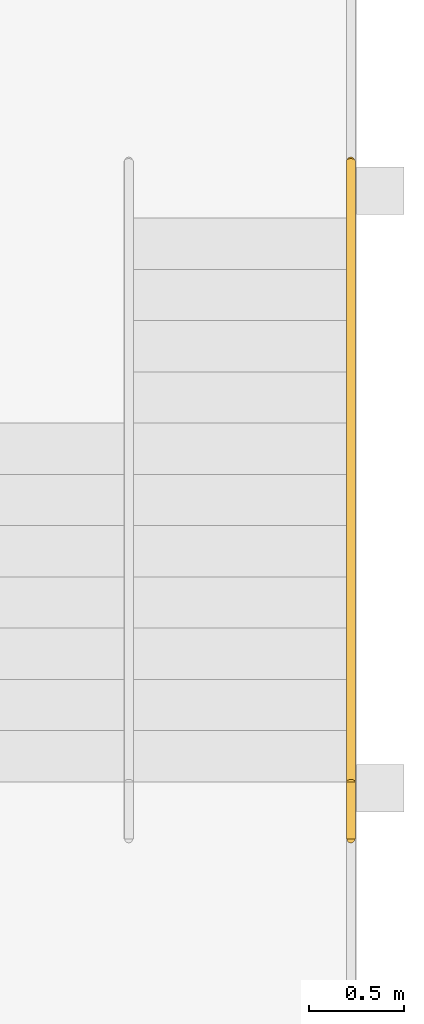
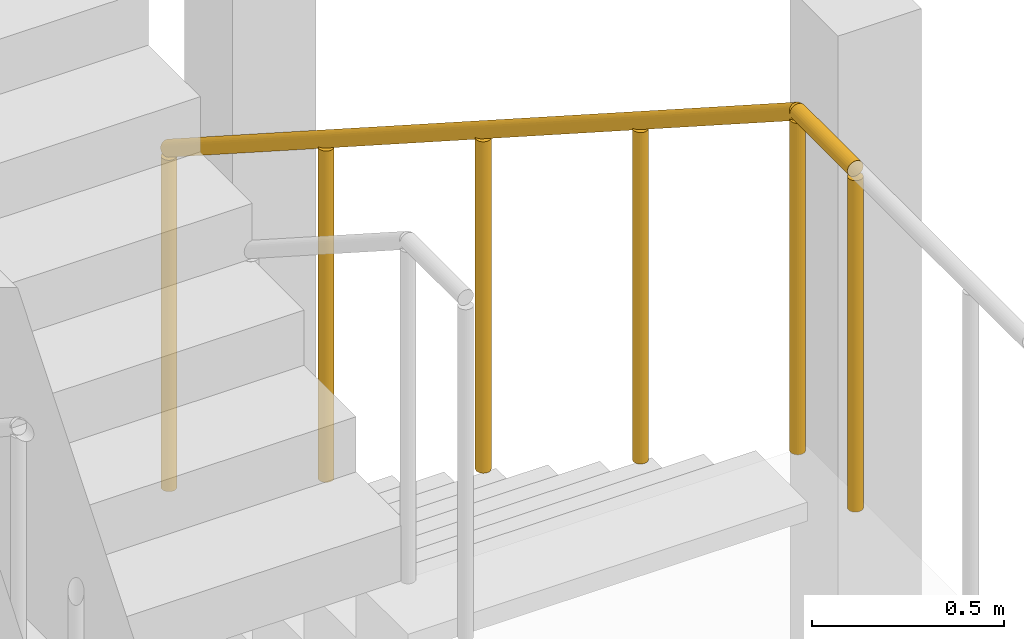
# One storey, part 92 of 92: 1 railing.
"""IFC4 building model written with IfcOpenShell, lengths in metres."""

import ifcopenshell
import ifcopenshell.guid

model = None  # the IFC model being written
_history = None  # IfcOwnerHistory: only IFC2X3 demands one
_inside = {}  # id of a spatial element -> (the spatial element, [elements in it])
_under = {}  # id of a project, library or spatial element -> (it, [spatial elements below it])
_declared = {}  # id of a project -> (the project, [libraries it declares])
_typed = {}  # id of a type object -> (the type object, [elements of that type])
_made_of = {}  # id of a material, layer set ... -> (it, [elements and type objects made of it])


def new_model(schema):
    """Start an empty IFC model of exactly this schema.

    Asked for "IFC4X3", IfcOpenShell would pick the latest addendum, in which some entities
    have other attributes; the version numbers below select the first issue.
    IFC2X3 requires an IfcOwnerHistory on every rooted entity: one is made here for all.
    """
    global model, _history
    if schema == "IFC4X3":
        model = ifcopenshell.file(schema_version=(4, 3, 0, 0))
    else:
        model = ifcopenshell.file(schema=schema)
    _inside.clear()
    _under.clear()
    _declared.clear()
    _typed.clear()
    _made_of.clear()
    _history = None
    if model.schema == "IFC2X3":
        org = make("IfcOrganization", Name="unknown")
        user = make(
            "IfcPersonAndOrganization",
            ThePerson=make("IfcPerson", FamilyName="unknown"),
            TheOrganization=org,
        )
        app = make(
            "IfcApplication",
            ApplicationDeveloper=org,
            Version="unknown",
            ApplicationFullName="unknown",
            ApplicationIdentifier="unknown",
        )
        _history = make(
            "IfcOwnerHistory",
            OwningUser=user,
            OwningApplication=app,
            ChangeAction="ADDED",
            CreationDate=0,
        )
    return model


def make(cls, **values):
    """One entity of the class cls with the attributes given. An attribute that is None is left unset."""
    return model.create_entity(
        cls, **{name: value for name, value in values.items() if value is not None}
    )


def rooted(cls, **values):
    """An entity with a GlobalId (a new one), such as an element, a storey or a relation."""
    return make(cls, GlobalId=ifcopenshell.guid.new(), OwnerHistory=_history, **values)


def si_unit(unit_type, name, prefix=None):
    """IfcSIUnit, for example si_unit("LENGTHUNIT", "METRE", prefix="MILLI")."""
    return make("IfcSIUnit", UnitType=unit_type, Prefix=prefix, Name=name)


def assignment(units):
    """IfcUnitAssignment: the units of a project."""
    return None if units is None else make("IfcUnitAssignment", Units=units)


def point(xyz):
    """IfcCartesianPoint."""
    return None if xyz is None else make("IfcCartesianPoint", Coordinates=xyz)


def direction(xyz):
    """IfcDirection."""
    return None if xyz is None else make("IfcDirection", DirectionRatios=xyz)


def frame(location, z_axis=None, x_axis=None):
    """IfcAxis2Placement3D, a coordinate frame: its origin and axes. An axis left out is left unset."""
    return make(
        "IfcAxis2Placement3D",
        Location=point(location),
        Axis=direction(z_axis),
        RefDirection=direction(x_axis),
    )


def frame_2d(location, x_axis=None):
    """IfcAxis2Placement2D, a coordinate frame in the plane: its origin and x axis."""
    return make(
        "IfcAxis2Placement2D", Location=point(location), RefDirection=direction(x_axis)
    )


def origin():
    """The frame at (0, 0, 0) with its axes left unset."""
    return frame((0.0, 0.0, 0.0))


def origin_2d():
    """The frame at (0, 0) in the plane with its x axis left unset."""
    return frame_2d((0.0, 0.0))


def place(relative_to, where):
    """IfcLocalPlacement: puts the frame where relative to a parent placement (None: the world)."""
    return make(
        "IfcLocalPlacement", PlacementRelTo=relative_to, RelativePlacement=where
    )


def context(
    kind, dimensions, precision=None, world=None, true_north=None, identifier=None
):
    """IfcGeometricRepresentationContext, for example the 3D "Model" context."""
    return make(
        "IfcGeometricRepresentationContext",
        ContextIdentifier=identifier,
        ContextType=kind,
        CoordinateSpaceDimension=dimensions,
        Precision=precision,
        WorldCoordinateSystem=world,
        TrueNorth=true_north,
    )


def subcontext(parent, identifier, kind, view, scale=None):
    """IfcGeometricRepresentationSubContext, for example "Body" below "Model"."""
    return make(
        "IfcGeometricRepresentationSubContext",
        ContextIdentifier=identifier,
        ContextType=kind,
        ParentContext=parent,
        TargetScale=scale,
        TargetView=view,
    )


def project(units=None, contexts=None):
    """IfcProject with its units and contexts."""
    return rooted(
        "IfcProject",
        Name="project",
        RepresentationContexts=contexts,
        UnitsInContext=assignment(units),
    )


def spatial(cls, under=None, at=None, **own):
    """A site, building, storey or space (cls), placed at a placement, below another one or the project."""
    s = rooted(cls, ObjectPlacement=at, **own)
    if under is not None:
        _under.setdefault(under.id(), (under, []))[1].append(s)
    return s


def profile(cls, at=None, kind="AREA", **sizes):
    """A parametric profile (cls). Its sizes go by their IFC names, for example OverallWidth=200.0."""
    return make(cls, ProfileType=kind, Position=at, **sizes)


def circle(**sizes):
    """IfcCircleProfileDef."""
    return profile("IfcCircleProfileDef", **sizes)


def extrude(swept, where, along, depth):
    """IfcExtrudedAreaSolid: the profile swept, set in the frame where, extruded along a direction by depth."""
    return make(
        "IfcExtrudedAreaSolid",
        SweptArea=swept,
        Position=where,
        ExtrudedDirection=direction(along),
        Depth=depth,
    )


def shape(context_of_items, identifier, shape_type, items):
    """IfcShapeRepresentation: the items that make up one representation, for example the "Body"."""
    return make(
        "IfcShapeRepresentation",
        ContextOfItems=context_of_items,
        RepresentationIdentifier=identifier,
        RepresentationType=shape_type,
        Items=items,
    )


def material(Name=None, Category=None):
    """IfcMaterial."""
    return make("IfcMaterial", Name=Name, Category=Category)


def made_of(thing, what):
    """Note that an element or type object is made of a material, layer set ...; save() writes the relation."""
    if what is not None:
        _made_of.setdefault(what.id(), (what, []))[1].append(thing)
    return thing


def type_object(cls, material=None, **own):
    """A type object (cls), such as IfcWallType, which elements share."""
    return made_of(rooted(cls, **own), material)


def element(
    cls,
    number,
    at=None,
    inside=None,
    cuts=None,
    type_object=None,
    material=None,
    context=None,
    identifier="Body",
    shape_type=None,
    held_by="IfcProductDefinitionShape",
    body=None,
    shapes=None,
    **own,
):
    """One element of the class cls, such as IfcWall. Its Tag is "e" and its number.

    at: its placement. inside: the storey or other place that contains it. cuts: it is an
    opening in that element (IfcRelVoidsElement). A single representation is given by context,
    identifier, shape_type and body (its items); several are given by shapes. held_by: the class
    of the entity that holds the representations. save() writes the other relations.
    """
    e = rooted(cls, Tag="e%d" % number, ObjectPlacement=at, **own)
    if body is not None:
        shapes = [shape(context, identifier, shape_type, body)]
    if shapes is not None:
        e.Representation = make(held_by, Representations=shapes)
    if inside is not None:
        _inside.setdefault(inside.id(), (inside, []))[1].append(e)
    if cuts is not None:
        rooted(
            "IfcRelVoidsElement", RelatingBuildingElement=cuts, RelatedOpeningElement=e
        )
    if type_object is not None:
        _typed.setdefault(type_object.id(), (type_object, []))[1].append(e)
    return made_of(e, material)


def aggregate(whole, parts):
    """IfcRelAggregates: a whole, such as a stair, and the parts it consists of."""
    return rooted("IfcRelAggregates", RelatingObject=whole, RelatedObjects=parts)


def save(model, path):
    """Write the relations noted so far, then the file.

    IfcRelAggregates (storeys below a building ...), IfcRelContainedInSpatialStructure (elements
    in a storey), IfcRelDefinesByType, IfcRelAssociatesMaterial and IfcRelDeclares: one each for
    every whole, place, type object, material and project.
    """
    for whole, parts in _under.values():
        aggregate(whole, parts)
    for where, things in _inside.values():
        rooted(
            "IfcRelContainedInSpatialStructure",
            RelatedElements=things,
            RelatingStructure=where,
        )
    for kind, things in _typed.values():
        rooted("IfcRelDefinesByType", RelatedObjects=things, RelatingType=kind)
    for what, things in _made_of.values():
        rooted("IfcRelAssociatesMaterial", RelatedObjects=things, RelatingMaterial=what)
    for by, libraries in _declared.values():
        rooted("IfcRelDeclares", RelatingContext=by, RelatedDefinitions=libraries)
    model.write(path)


model = new_model("IFC4")

# Units and contexts
model_context = context("Model", 3, precision=1e-05, world=origin(), true_north=direction((0.0, 1.0)))
body_context = subcontext(model_context, "Body", "Model", "MODEL_VIEW")
ifc_project = project(units=[si_unit("LENGTHUNIT", "METRE"), si_unit("AREAUNIT", "SQUARE_METRE"), si_unit("VOLUMEUNIT", "CUBIC_METRE"), si_unit("PLANEANGLEUNIT", "RADIAN"), si_unit("MASSUNIT", "GRAM", prefix="KILO")], contexts=[model_context])

# Site, building, storey
site_placement = place(None, origin())
site = spatial("IfcSite", under=ifc_project, at=site_placement, CompositionType="ELEMENT")
building_placement = place(site_placement, origin())
building = spatial("IfcBuilding", under=site, at=building_placement, Name="Laocheng Heights Fire and Rescue Headquarters", CompositionType="ELEMENT")
storey_placement = place(building_placement, frame((0.0, 0.0, 12.60009765625)))
storey = spatial("IfcBuildingStorey", under=building, at=storey_placement, Name="L03", CompositionType="ELEMENT", Elevation=12.60009765625)

# Railing
ifc_material = material(Name="Steel Q355B", Category="steel")
railing_type = type_object("IfcRailingType", Name="STAIR GUARD 1100", PredefinedType="GUARDRAIL", material=ifc_material)
railing_placement = place(storey_placement, frame((128.3701171875, 33.10009765625, 1.39990234375)))
element("IfcRailing", 1, at=railing_placement, inside=storey, type_object=railing_type, Name="Stair T2 guard F5 1", PredefinedType="GUARDRAIL", context=body_context, shape_type="SweptSolid", body=[
    extrude(circle(Radius=0.02392578125, at=origin_2d()), frame((0.0, 0.0, 1.076171875), z_axis=(0.0, -0.841419242076, 0.540382881913), x_axis=(1.0, 0.0, 0.0)), (0.0, 0.0, 1.0), 3.88623046875),
    extrude(circle(Radius=0.02392578125, at=origin_2d()), frame((0.0, -3.27001953125, 3.17626953125), z_axis=(0.0, -1.0, 0.0), x_axis=(1.0, 0.0, 0.0)), (0.0, 0.0, 1.0), 0.300048828125),
    extrude(circle(Radius=0.02099609375, at=origin_2d()), origin(), (0.0, 0.0, 1.0), 1.052001953125),
    extrude(circle(Radius=0.02099609375, at=origin_2d()), frame((0.0, -0.8173828125, 0.52490234375)), (0.0, 0.0, 1.0), 1.052001953125),
    extrude(circle(Radius=0.02099609375, at=origin_2d()), frame((0.0, -1.635009765625, 1.050048828125)), (0.0, 0.0, 1.0), 1.052001953125),
    extrude(circle(Radius=0.02099609375, at=origin_2d()), frame((0.0, -2.45263671875, 1.5751953125)), (0.0, 0.0, 1.0), 1.052001953125),
    extrude(circle(Radius=0.02099609375, at=origin_2d()), frame((0.0, -3.27001953125, 2.10009765625)), (0.0, 0.0, 1.0), 1.052001953125),
    extrude(circle(Radius=0.02099609375, at=origin_2d()), frame((0.0, -3.570068359375, 2.10009765625)), (0.0, 0.0, 1.0), 1.052001953125),
])

save(model, "model.ifc")
